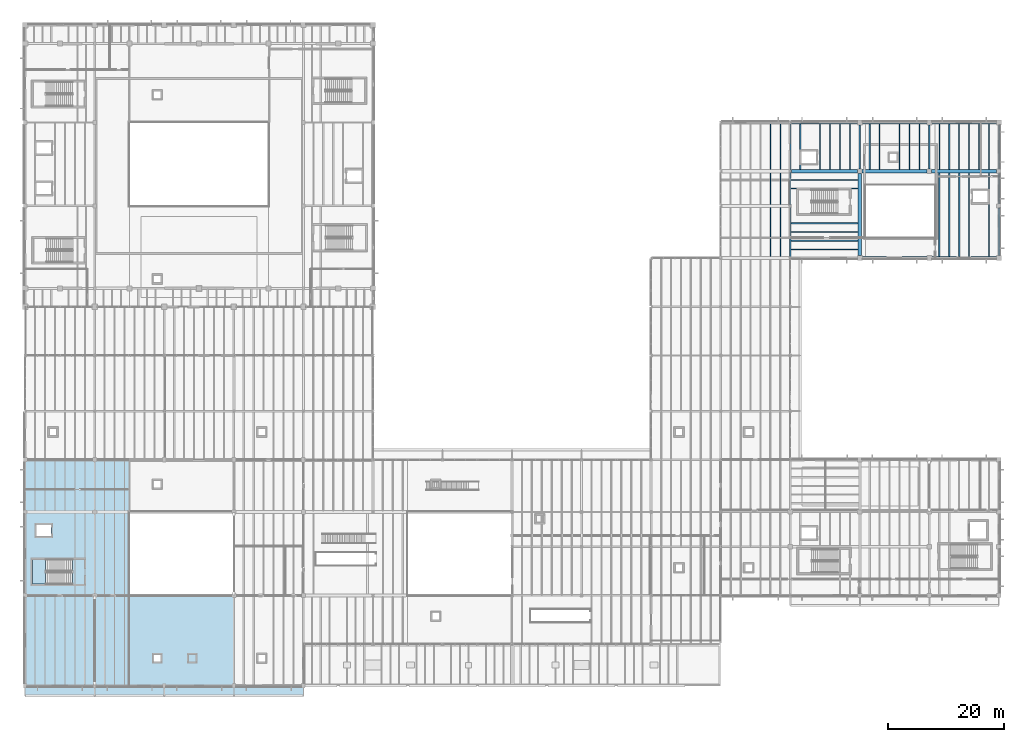
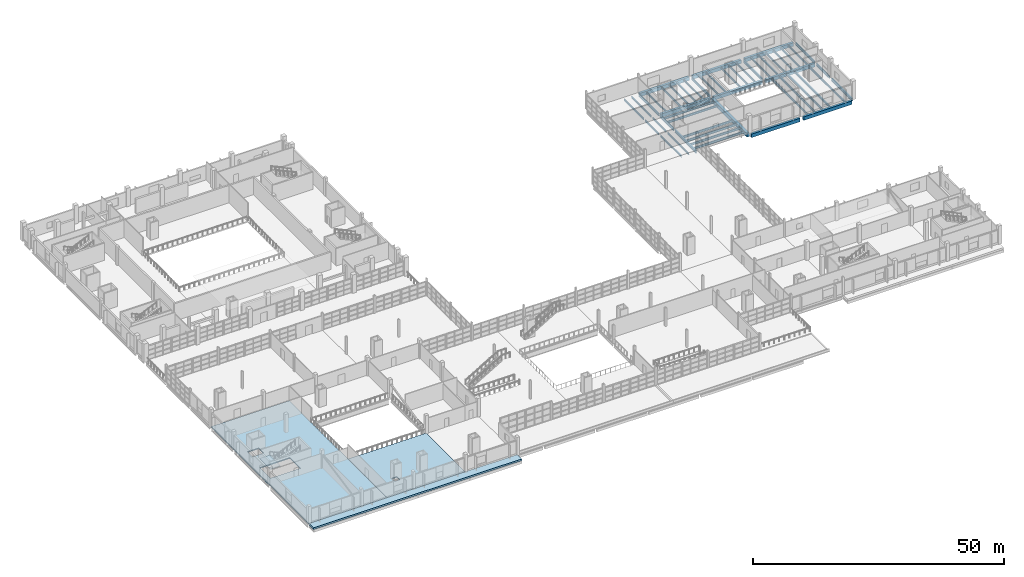
# One storey, part 74 of 114: 50 beams, 4 slabs, 1 element without a shape of its own.
"""IFC4 building model written with IfcOpenShell, lengths in metres."""

from ifc_helpers import new_model, si_unit, direction, frame, origin, origin_2d, place, context, subcontext, project, spatial, polyline, rectangle, i_section, outline, extrude, material, layer, layer_set, material_profile, profile_set, type_object, element, aggregate, save


model = new_model("IFC4")

# Units and contexts
model_context = context("Model", 3, precision=1e-05, world=origin(), true_north=direction((0.0, 1.0)))
body_context = subcontext(model_context, "Body", "Model", "MODEL_VIEW")
ifc_project = project(units=[si_unit("LENGTHUNIT", "METRE"), si_unit("AREAUNIT", "SQUARE_METRE"), si_unit("VOLUMEUNIT", "CUBIC_METRE"), si_unit("PLANEANGLEUNIT", "RADIAN"), si_unit("MASSUNIT", "GRAM", prefix="KILO")], contexts=[model_context])

# Site, building, storey
site_placement = place(None, origin())
site = spatial("IfcSite", under=ifc_project, at=site_placement, CompositionType="ELEMENT")
building_placement = place(site_placement, origin())
building = spatial("IfcBuilding", under=site, at=building_placement, Name="Kelmvaro Bay Concert Hall", CompositionType="ELEMENT")
storey_placement = place(building_placement, frame((0.0, 0.0, 4.800048828125)))
storey = spatial("IfcBuildingStorey", under=building, at=storey_placement, Name="L01", CompositionType="ELEMENT", Elevation=4.800048828125)

# Beams
ifc_material_1 = material(Name="Concrete C40/50", Category="concrete")
ifc_material_profile_1 = material_profile(ifc_material_1, rectangle(XDim=0.550048828125, YDim=0.85009765625, at=origin_2d()), Name="RC-BM-550X850")
ifc_profile_set_1 = profile_set([ifc_material_profile_1], Name="Concrete C40/50")
beam_type_1 = type_object("IfcBeamType", Name="Chamber Primary Girder RC550x850", PredefinedType="BEAM", material=ifc_profile_set_1)
for number, where, z_axis, x_axis, name in (
    (1, (144.425048828125, 73.800048828125, -0.72509765625), (1.0, 0.0, 0.0), (0.0, 1.0, 0.0), "L01 Girder BM-L01-EW-0089"),
    (2, (156.425048828125, 73.800048828125, -0.72509765625), (1.0, 0.0, 0.0), (0.0, 1.0, 0.0), "L01 Girder BM-L01-EW-0090"),
):
    element("IfcBeam", number, at=place(storey_placement, frame(where, z_axis=z_axis, x_axis=x_axis)), inside=storey, type_object=beam_type_1, Name=name, PredefinedType="BEAM", context=body_context, shape_type="SweptSolid", body=[
        extrude(rectangle(XDim=0.550048828125, YDim=0.85009765625, at=origin_2d()), origin(), (0.0, 0.0, 1.0), 11.14990234375),
    ])
beam_1_placement = place(storey_placement, frame((132.200439453125, 88.800048828125, -0.68505859375), z_axis=(1.0, 0.0, 0.0), x_axis=(0.0, 1.0, 0.0)))
element("IfcBeam", 3, at=beam_1_placement, inside=storey, type_object=beam_type_1, Name="L01 Girder BM-L01-EW-0095", PredefinedType="BEAM", context=body_context, shape_type="SweptSolid", body=[
    extrude(rectangle(XDim=0.550048828125, YDim=0.85009765625, at=origin_2d()), origin(), (0.0, 0.0, 1.0), 11.424560546875),
])
for number, where, z_axis, x_axis, name in (
    (4, (144.375, 88.800048828125, -0.72509765625), (1.0, 0.0, 0.0), (0.0, 1.0, 0.0), "L01 Girder BM-L01-EW-0096"),
    (5, (156.375, 88.800048828125, -0.72509765625), (1.0, 0.0, 0.0), (0.0, 1.0, 0.0), "L01 Girder BM-L01-EW-0097"),
):
    element("IfcBeam", number, at=place(storey_placement, frame(where, z_axis=z_axis, x_axis=x_axis)), inside=storey, type_object=beam_type_1, Name=name, PredefinedType="BEAM", context=body_context, shape_type="SweptSolid", body=[
        extrude(rectangle(XDim=0.550048828125, YDim=0.85009765625, at=origin_2d()), origin(), (0.0, 0.0, 1.0), 11.25),
    ])
beam_2_placement = place(storey_placement, frame((132.200439453125, 97.199951171875, -0.68505859375), z_axis=(1.0, 0.0, 0.0), x_axis=(0.0, 1.0, 0.0)))
element("IfcBeam", 6, at=beam_2_placement, inside=storey, type_object=beam_type_1, Name="L01 Girder BM-L01-EW-0101", PredefinedType="BEAM", context=body_context, shape_type="SweptSolid", body=[
    extrude(rectangle(XDim=0.550048828125, YDim=0.85009765625, at=origin_2d()), origin(), (0.0, 0.0, 1.0), 11.37451171875),
])
for number, where, z_axis, x_axis, name in (
    (7, (144.425048828125, 97.199951171875, -0.72509765625), (1.0, 0.0, 0.0), (0.0, 1.0, 0.0), "L01 Girder BM-L01-EW-0102"),
    (8, (156.425048828125, 97.199951171875, -0.72509765625), (1.0, 0.0, 0.0), (0.0, 1.0, 0.0), "L01 Girder BM-L01-EW-0103"),
):
    element("IfcBeam", number, at=place(storey_placement, frame(where, z_axis=z_axis, x_axis=x_axis)), inside=storey, type_object=beam_type_1, Name=name, PredefinedType="BEAM", context=body_context, shape_type="SweptSolid", body=[
        extrude(rectangle(XDim=0.550048828125, YDim=0.85009765625, at=origin_2d()), origin(), (0.0, 0.0, 1.0), 11.14990234375),
    ])
ifc_material_2 = material(Name="Steel ASTM A992 Grade 50", Category="steel")
ifc_material_profile_2 = material_profile(ifc_material_2, i_section(OverallWidth=0.323974609375, OverallDepth=0.611083984375, WebThickness=0.0126953125, FlangeThickness=0.01904296875, at=origin_2d()), Name="W24X104")
ifc_profile_set_2 = profile_set([ifc_material_profile_2], Name="Steel ASTM A992 Grade 50")
beam_type_2 = type_object("IfcBeamType", Name="Foyer Frame Girder W24x104", PredefinedType="BEAM", material=ifc_profile_set_2)
beam_3_placement = place(storey_placement, frame((132.0, 73.99951171875, -0.5654296875), z_axis=(0.0, 1.0, 0.0), x_axis=(-1.0, 0.0, 0.0)))
element("IfcBeam", 9, at=beam_3_placement, inside=storey, type_object=beam_type_2, Name="L01 Girder BM-L01-NS-0200", PredefinedType="BEAM", context=body_context, shape_type="SweptSolid", body=[
    extrude(i_section(OverallWidth=0.323974609375, OverallDepth=0.611083984375, WebThickness=0.0126953125, FlangeThickness=0.01904296875, at=origin_2d()), origin(), (0.0, 0.0, 1.0), 8.603515625),
])
beam_4_placement = place(storey_placement, frame((168.0, 74.22509765625, -0.5654296875), z_axis=(0.0, 1.0, 0.0), x_axis=(-1.0, 0.0, 0.0)))
element("IfcBeam", 10, at=beam_4_placement, inside=storey, type_object=beam_type_2, Name="L01 Girder BM-L01-NS-0214", PredefinedType="BEAM", context=body_context, shape_type="SweptSolid", body=[
    extrude(i_section(OverallWidth=0.323974609375, OverallDepth=0.611083984375, WebThickness=0.0126953125, FlangeThickness=0.01904296875, at=origin_2d()), origin(), (0.0, 0.0, 1.0), 8.199951171875),
])
ifc_material_3 = material(Name="Concrete C40/50", Category="concrete")
ifc_material_profile_3 = material_profile(ifc_material_3, rectangle(XDim=0.60009765625, YDim=0.949951171875, at=origin_2d()), Name="RC-BM-600X950")
ifc_profile_set_3 = profile_set([ifc_material_profile_3], Name="Concrete C40/50")
beam_type_3 = type_object("IfcBeamType", Name="Hall Primary Girder RC600x950", PredefinedType="BEAM", material=ifc_profile_set_3)
beam_5_placement = place(storey_placement, frame((144.0, 74.22509765625, -0.735107421875), z_axis=(0.0, 1.0, 0.0), x_axis=(-1.0, 0.0, 0.0)))
element("IfcBeam", 11, at=beam_5_placement, inside=storey, type_object=beam_type_3, Name="L01 Girder BM-L01-NS-0205", PredefinedType="BEAM", context=body_context, shape_type="SweptSolid", body=[
    extrude(rectangle(XDim=0.60009765625, YDim=0.949951171875, at=origin_2d()), origin(), (0.0, 0.0, 1.0), 14.199951171875),
])
ifc_material_4 = material(Name="Steel ASTM A992 Grade 50", Category="steel")
ifc_material_profile_4 = material_profile(ifc_material_4, i_section(OverallWidth=0.2099609375, OverallDepth=0.535888671875, WebThickness=0.010986328125, FlangeThickness=0.017333984375, at=origin_2d()), Name="W21X68")
ifc_profile_set_4 = profile_set([ifc_material_profile_4], Name="Steel ASTM A992 Grade 50")
beam_type_4 = type_object("IfcBeamType", Name="Heavy Floor Joist W21x68", PredefinedType="JOIST", material=ifc_profile_set_4)
for number, where, z_axis, x_axis, name in (
    (12, (157.71435546875, 74.074951171875, -0.528076171875), (0.0, 1.0, 0.0), (-1.0, 0.0, 0.0), "L01 Floor Joist JST-L01-0596"),
    (13, (159.4287109375, 74.074951171875, -0.528076171875), (0.0, 1.0, 0.0), (-1.0, 0.0, 0.0), "L01 Floor Joist JST-L01-0597"),
    (14, (161.142822265625, 74.074951171875, -0.528076171875), (0.0, 1.0, 0.0), (-1.0, 0.0, 0.0), "L01 Floor Joist JST-L01-0598"),
    (15, (162.857177734375, 74.074951171875, -0.528076171875), (0.0, 1.0, 0.0), (-1.0, 0.0, 0.0), "L01 Floor Joist JST-L01-0599"),
    (16, (166.28564453125, 74.074951171875, -0.528076171875), (0.0, 1.0, 0.0), (-1.0, 0.0, 0.0), "L01 Floor Joist JST-L01-0600"),
):
    element("IfcBeam", number, at=place(storey_placement, frame(where, z_axis=z_axis, x_axis=x_axis)), inside=storey, type_object=beam_type_4, Name=name, PredefinedType="JOIST", context=body_context, shape_type="SweptSolid", body=[
        extrude(i_section(OverallWidth=0.2099609375, OverallDepth=0.535888671875, WebThickness=0.010986328125, FlangeThickness=0.017333984375, at=origin_2d()), origin(), (0.0, 0.0, 1.0), 14.449951171875),
    ])
for number, where, z_axis, x_axis, name in (
    (17, (132.162109375, 75.300048828125, -0.528076171875), (1.0, 0.0, 0.0), (0.0, 1.0, 0.0), "L01 Floor Joist JST-L01-EW-0678"),
    (18, (132.162109375, 76.800048828125, -0.528076171875), (1.0, 0.0, 0.0), (0.0, 1.0, 0.0), "L01 Floor Joist JST-L01-EW-0679"),
    (19, (132.162109375, 78.300048828125, -0.528076171875), (1.0, 0.0, 0.0), (0.0, 1.0, 0.0), "L01 Floor Joist JST-L01-EW-0680"),
    (20, (132.162109375, 79.800048828125, -0.528076171875), (1.0, 0.0, 0.0), (0.0, 1.0, 0.0), "L01 Floor Joist JST-L01-EW-0681"),
):
    element("IfcBeam", number, at=place(storey_placement, frame(where, z_axis=z_axis, x_axis=x_axis)), inside=storey, type_object=beam_type_4, Name=name, PredefinedType="JOIST", context=body_context, shape_type="SweptSolid", body=[
        extrude(i_section(OverallWidth=0.2099609375, OverallDepth=0.535888671875, WebThickness=0.010986328125, FlangeThickness=0.017333984375, at=origin_2d()), origin(), (0.0, 0.0, 1.0), 11.537841796875),
    ])
for number, where, z_axis, x_axis, name in (
    (21, (132.114501953125, 85.800048828125, -0.528076171875), (1.0, 0.0, 0.0), (0.0, 1.0, 0.0), "L01 Floor Joist JST-L01-EW-0682"),
    (22, (132.114501953125, 87.300048828125, -0.528076171875), (1.0, 0.0, 0.0), (0.0, 1.0, 0.0), "L01 Floor Joist JST-L01-EW-0683"),
):
    element("IfcBeam", number, at=place(storey_placement, frame(where, z_axis=z_axis, x_axis=x_axis)), inside=storey, type_object=beam_type_4, Name=name, PredefinedType="JOIST", context=body_context, shape_type="SweptSolid", body=[
        extrude(i_section(OverallWidth=0.2099609375, OverallDepth=0.535888671875, WebThickness=0.010986328125, FlangeThickness=0.017333984375, at=origin_2d()), origin(), (0.0, 0.0, 1.0), 11.58544921875),
    ])
ifc_material_5 = material(Name="Steel ASTM A992 Grade 50", Category="steel")
ifc_material_profile_5 = material_profile(ifc_material_5, i_section(OverallWidth=0.19091796875, OverallDepth=0.45703125, WebThickness=0.009033203125, FlangeThickness=0.014404296875, at=origin_2d()), Name="W18X50")
ifc_profile_set_5 = profile_set([ifc_material_profile_5], Name="Steel ASTM A992 Grade 50")
beam_type_5 = type_object("IfcBeamType", Name="Standard Composite Floor Joist W18x50", PredefinedType="JOIST", material=ifc_profile_set_5)
for number, where, z_axis, x_axis, name in (
    (23, (128.5712890625, 74.074951171875, -0.488525390625), (0.0, 1.0, 0.0), (-1.0, 0.0, 0.0), "L01 Floor Joist JST-L01-0594"),
    (24, (130.28564453125, 74.074951171875, -0.488525390625), (0.0, 1.0, 0.0), (-1.0, 0.0, 0.0), "L01 Floor Joist JST-L01-0595"),
):
    element("IfcBeam", number, at=place(storey_placement, frame(where, z_axis=z_axis, x_axis=x_axis)), inside=storey, type_object=beam_type_5, Name=name, PredefinedType="JOIST", context=body_context, shape_type="SweptSolid", body=[
        extrude(i_section(OverallWidth=0.19091796875, OverallDepth=0.45703125, WebThickness=0.009033203125, FlangeThickness=0.014404296875, at=origin_2d()), origin(), (0.0, 0.0, 1.0), 8.449951171875),
    ])
for number, where, z_axis, x_axis, name in (
    (25, (128.5712890625, 83.074951171875, -0.488525390625), (0.0, 1.0, 0.0), (-1.0, 0.0, 0.0), "L01 Floor Joist JST-L01-0615"),
    (26, (130.28564453125, 83.074951171875, -0.488525390625), (0.0, 1.0, 0.0), (-1.0, 0.0, 0.0), "L01 Floor Joist JST-L01-0616"),
):
    element("IfcBeam", number, at=place(storey_placement, frame(where, z_axis=z_axis, x_axis=x_axis)), inside=storey, type_object=beam_type_5, Name=name, PredefinedType="JOIST", context=body_context, shape_type="SweptSolid", body=[
        extrude(i_section(OverallWidth=0.19091796875, OverallDepth=0.45703125, WebThickness=0.009033203125, FlangeThickness=0.014404296875, at=origin_2d()), origin(), (0.0, 0.0, 1.0), 5.449951171875),
    ])
for number, where, z_axis, x_axis, name in (
    (27, (128.5712890625, 89.074951171875, -0.488525390625), (0.0, 1.0, 0.0), (-1.0, 0.0, 0.0), "L01 Floor Joist JST-L01-0621"),
    (28, (130.28564453125, 89.074951171875, -0.488525390625), (0.0, 1.0, 0.0), (-1.0, 0.0, 0.0), "L01 Floor Joist JST-L01-0622"),
    (29, (133.71435546875, 89.074951171875, -0.488525390625), (0.0, 1.0, 0.0), (-1.0, 0.0, 0.0), "L01 Floor Joist JST-L01-0623"),
    (30, (137.142822265625, 89.074951171875, -0.488525390625), (0.0, 1.0, 0.0), (-1.0, 0.0, 0.0), "L01 Floor Joist JST-L01-0624"),
    (31, (138.857177734375, 89.074951171875, -0.488525390625), (0.0, 1.0, 0.0), (-1.0, 0.0, 0.0), "L01 Floor Joist JST-L01-0625"),
    (32, (140.5712890625, 89.074951171875, -0.488525390625), (0.0, 1.0, 0.0), (-1.0, 0.0, 0.0), "L01 Floor Joist JST-L01-0626"),
    (33, (142.28564453125, 89.074951171875, -0.488525390625), (0.0, 1.0, 0.0), (-1.0, 0.0, 0.0), "L01 Floor Joist JST-L01-0627"),
    (34, (145.71435546875, 89.074951171875, -0.528564453125), (0.0, 1.0, 0.0), (-1.0, 0.0, 0.0), "L01 Floor Joist JST-L01-0628"),
    (35, (147.4287109375, 89.074951171875, -0.528564453125), (0.0, 1.0, 0.0), (-1.0, 0.0, 0.0), "L01 Floor Joist JST-L01-0629"),
    (36, (150.857177734375, 89.074951171875, -0.528564453125), (0.0, 1.0, 0.0), (-1.0, 0.0, 0.0), "L01 Floor Joist JST-L01-0630"),
    (37, (152.5712890625, 89.074951171875, -0.528564453125), (0.0, 1.0, 0.0), (-1.0, 0.0, 0.0), "L01 Floor Joist JST-L01-0631"),
    (38, (154.28564453125, 89.074951171875, -0.528564453125), (0.0, 1.0, 0.0), (-1.0, 0.0, 0.0), "L01 Floor Joist JST-L01-0632"),
    (39, (157.71435546875, 89.074951171875, -0.488525390625), (0.0, 1.0, 0.0), (-1.0, 0.0, 0.0), "L01 Floor Joist JST-L01-0633"),
    (40, (159.4287109375, 89.074951171875, -0.488525390625), (0.0, 1.0, 0.0), (-1.0, 0.0, 0.0), "L01 Floor Joist JST-L01-0634"),
    (41, (161.142822265625, 89.074951171875, -0.488525390625), (0.0, 1.0, 0.0), (-1.0, 0.0, 0.0), "L01 Floor Joist JST-L01-0635"),
    (42, (162.857177734375, 89.074951171875, -0.488525390625), (0.0, 1.0, 0.0), (-1.0, 0.0, 0.0), "L01 Floor Joist JST-L01-0636"),
    (43, (164.5712890625, 89.074951171875, -0.488525390625), (0.0, 1.0, 0.0), (-1.0, 0.0, 0.0), "L01 Floor Joist JST-L01-0637"),
    (44, (166.28564453125, 89.074951171875, -0.488525390625), (0.0, 1.0, 0.0), (-1.0, 0.0, 0.0), "L01 Floor Joist JST-L01-0638"),
):
    element("IfcBeam", number, at=place(storey_placement, frame(where, z_axis=z_axis, x_axis=x_axis)), inside=storey, type_object=beam_type_5, Name=name, PredefinedType="JOIST", context=body_context, shape_type="SweptSolid", body=[
        extrude(i_section(OverallWidth=0.19091796875, OverallDepth=0.45703125, WebThickness=0.009033203125, FlangeThickness=0.014404296875, at=origin_2d()), origin(), (0.0, 0.0, 1.0), 7.85009765625),
    ])
ifc_material_6 = material(Name="Steel ASTM A992 Grade 50", Category="steel")
ifc_material_profile_6 = material_profile(ifc_material_6, i_section(OverallWidth=0.22900390625, OverallDepth=0.612060546875, WebThickness=0.011962890625, FlangeThickness=0.01953125, at=origin_2d()), Name="W24X84")
ifc_profile_set_6 = profile_set([ifc_material_profile_6], Name="Steel ASTM A992 Grade 50")
beam_type_6 = type_object("IfcBeamType", Name="Terrace Edge Girder W24x84", PredefinedType="BEAM", material=ifc_profile_set_6)
beam_6_placement = place(storey_placement, frame((132.0, 82.9970703125, -0.566162109375), z_axis=(0.0, 1.0, 0.0), x_axis=(-1.0, 0.0, 0.0)))
element("IfcBeam", 45, at=beam_6_placement, inside=storey, type_object=beam_type_6, Name="L01 Girder BM-L01-NS-0201", PredefinedType="BEAM", context=body_context, shape_type="SweptSolid", body=[
    extrude(i_section(OverallWidth=0.22900390625, OverallDepth=0.612060546875, WebThickness=0.011962890625, FlangeThickness=0.01953125, at=origin_2d()), origin(), (0.0, 0.0, 1.0), 5.60595703125),
])
beam_7_placement = place(storey_placement, frame((132.0, 88.9970703125, -0.566162109375), z_axis=(0.0, 1.0, 0.0), x_axis=(-1.0, 0.0, 0.0)))
element("IfcBeam", 46, at=beam_7_placement, inside=storey, type_object=beam_type_6, Name="L01 Girder BM-L01-NS-0202", PredefinedType="BEAM", context=body_context, shape_type="SweptSolid", body=[
    extrude(i_section(OverallWidth=0.22900390625, OverallDepth=0.612060546875, WebThickness=0.011962890625, FlangeThickness=0.01953125, at=origin_2d()), origin(), (0.0, 0.0, 1.0), 8.00341796875),
])
for number, where, z_axis, x_axis, name in (
    (47, (144.0, 89.175048828125, -0.566162109375), (0.0, 1.0, 0.0), (-1.0, 0.0, 0.0), "L01 Girder BM-L01-NS-0206"),
    (48, (156.0, 89.175048828125, -0.60595703125), (0.0, 1.0, 0.0), (-1.0, 0.0, 0.0), "L01 Girder BM-L01-NS-0210"),
):
    element("IfcBeam", number, at=place(storey_placement, frame(where, z_axis=z_axis, x_axis=x_axis)), inside=storey, type_object=beam_type_6, Name=name, PredefinedType="BEAM", context=body_context, shape_type="SweptSolid", body=[
        extrude(i_section(OverallWidth=0.22900390625, OverallDepth=0.612060546875, WebThickness=0.011962890625, FlangeThickness=0.01953125, at=origin_2d()), origin(), (0.0, 0.0, 1.0), 7.599853515625),
    ])
beam_8_placement = place(storey_placement, frame((168.0, 83.175048828125, -0.566162109375), z_axis=(0.0, 1.0, 0.0), x_axis=(-1.0, 0.0, 0.0)))
element("IfcBeam", 49, at=beam_8_placement, inside=storey, type_object=beam_type_6, Name="L01 Girder BM-L01-NS-0215", PredefinedType="BEAM", context=body_context, shape_type="SweptSolid", body=[
    extrude(i_section(OverallWidth=0.22900390625, OverallDepth=0.612060546875, WebThickness=0.011962890625, FlangeThickness=0.01953125, at=origin_2d()), origin(), (0.0, 0.0, 1.0), 5.25),
])
beam_9_placement = place(storey_placement, frame((168.0, 89.175048828125, -0.566162109375), z_axis=(0.0, 1.0, 0.0), x_axis=(-1.0, 0.0, 0.0)))
element("IfcBeam", 50, at=beam_9_placement, inside=storey, type_object=beam_type_6, Name="L01 Girder BM-L01-NS-0216", PredefinedType="BEAM", context=body_context, shape_type="SweptSolid", body=[
    extrude(i_section(OverallWidth=0.22900390625, OverallDepth=0.612060546875, WebThickness=0.011962890625, FlangeThickness=0.01953125, at=origin_2d()), origin(), (0.0, 0.0, 1.0), 7.599853515625),
])

# Stair, slab
ifc_material_7 = material(Name="Concrete C40/50", Category="concrete")
stair_type = type_object("IfcStairType", Name="Core Dogleg Exit Stair 2050", PredefinedType="USERDEFINED", material=ifc_material_7)
stair_placement = place(storey_placement, origin())
stair = element("IfcStair", 51, at=stair_placement, inside=storey, type_object=stair_type, Name="L01 Exit Stair ST-08", ObjectType="TWO_RETURN_STAIR", PredefinedType="USERDEFINED")
ifc_material_8 = material(Name="Concrete C40/50", Category="concrete")
ifc_layer_1 = layer(ifc_material_8, 0.199951171875)
ifc_layer_set_1 = layer_set([ifc_layer_1], Name="Concrete C40/50")
slab_type_1 = type_object("IfcSlabType", Name="Core Stair Half-Landing Slab 200", PredefinedType="LANDING", material=ifc_layer_set_1)
slab_1_placement = place(storey_placement, frame((0.0, 0.0, 2.050048828125)))
slab_1 = element("IfcSlab", 52, at=slab_1_placement, type_object=slab_type_1, Name="ST-08 landing 1", PredefinedType="LANDING", context=body_context, shape_type="SweptSolid", body=[
    extrude(outline(polyline([(3.534912109375, 21.800048828125), (1.25, 21.800048828125), (1.25, 17.550048828125), (3.534912109375, 17.550048828125), (3.534912109375, 21.800048828125)])), origin(), (0.0, 0.0, 1.0), 0.199951171875),
])
aggregate(stair, [slab_1])

# Slabs
ifc_material_9 = material(Name="Concrete C40/50", Category="concrete")
ifc_layer_2 = layer(ifc_material_9, 0.39990234375)
ifc_layer_set_2 = layer_set([ifc_layer_2], Name="Concrete C40/50")
slab_type_2 = type_object("IfcSlabType", Name="Storm Eave Structural Canopy Slab 400", PredefinedType="ROOF", material=ifc_layer_set_2)
slab_2_placement = place(storey_placement, frame((0.0, 0.0, -0.340087890625)))
element("IfcSlab", 53, at=slab_2_placement, inside=storey, type_object=slab_type_2, Name="L01 Roof Slab EAV-V3S", PredefinedType="ROOF", context=body_context, shape_type="SweptSolid", body=[
    extrude(outline(polyline([(0.0, -1.800048828125), (48.0, -1.800048828125), (48.0, 0.0), (0.0, 0.0), (0.0, -1.800048828125)])), origin(), (0.0, 0.0, 1.0), 0.400146484375),
])
ifc_material_10 = material(Name="Concrete C40/50", Category="concrete")
ifc_layer_3 = layer(ifc_material_10, 0.25)
ifc_layer_set_3 = layer_set([ifc_layer_3], Name="Concrete C40/50")
slab_type_3 = type_object("IfcSlabType", Name="Suspended Concourse Floor Slab 250", PredefinedType="FLOOR", material=ifc_layer_set_3)
slab_3_placement = place(storey_placement, frame((0.0, 0.0, -0.25)))
element("IfcSlab", 54, at=slab_3_placement, inside=storey, type_object=slab_type_3, Name="L01 Structural Slab V3-W", PredefinedType="FLOOR", context=body_context, shape_type="SweptSolid", body=[
    extrude(outline(polyline([(0.0, 0.0), (18.0, 0.0), (18.0, 39.0), (0.0, 39.0), (0.0, 0.0)]), holes=[polyline([(1.25048828125, 17.550537109375), (8.1494140625, 17.550537109375), (8.1494140625, 21.79931640625), (1.25048828125, 21.79931640625), (1.25048828125, 17.550537109375)]), polyline([(1.925048828125, 25.800048828125), (4.47509765625, 25.800048828125), (4.47509765625, 27.800048828125), (1.925048828125, 27.800048828125), (1.925048828125, 25.800048828125)])]), origin(), (0.0, 0.0, 1.0), 0.25),
])
slab_4_placement = place(storey_placement, frame((0.0, 0.0, -0.25)))
element("IfcSlab", 55, at=slab_4_placement, inside=storey, type_object=slab_type_3, Name="L01 Structural Slab V3-S", PredefinedType="FLOOR", context=body_context, shape_type="SweptSolid", body=[
    extrude(outline(polyline([(18.0, 0.0), (36.0, 0.0), (36.0, 15.60009765625), (18.0, 15.60009765625), (18.0, 0.0)]), holes=[polyline([(22.199951171875, 4.199951171875), (23.39990234375, 4.199951171875), (23.39990234375, 5.39990234375), (22.199951171875, 5.39990234375), (22.199951171875, 4.199951171875)])]), origin(), (0.0, 0.0, 1.0), 0.25),
])

save(model, "model.ifc")
